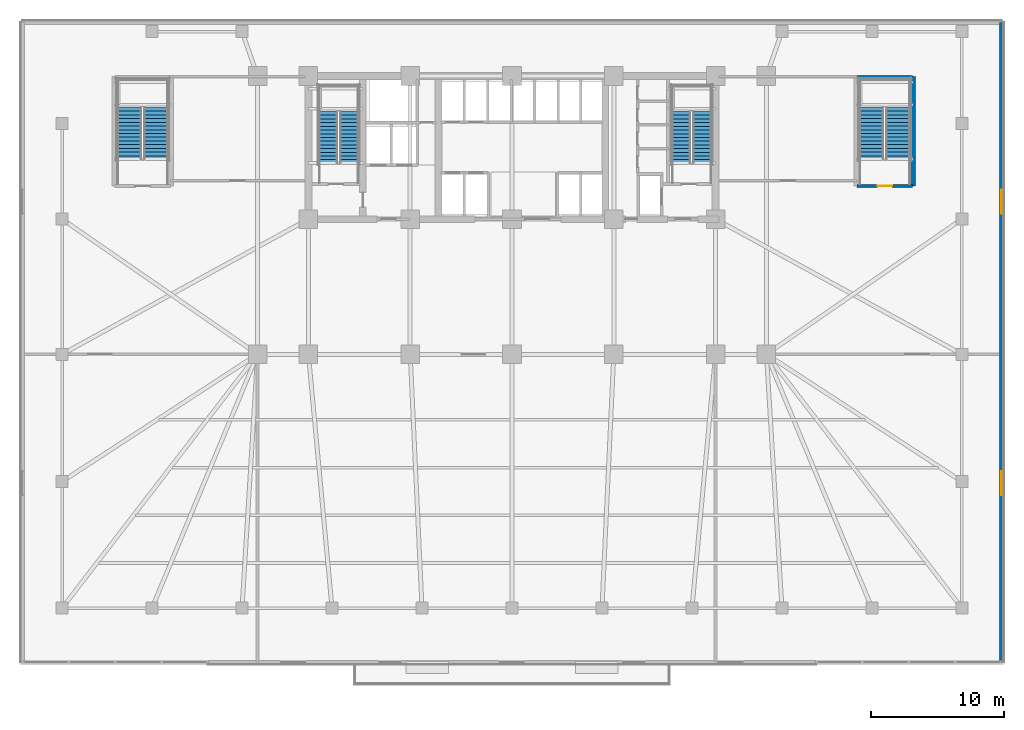
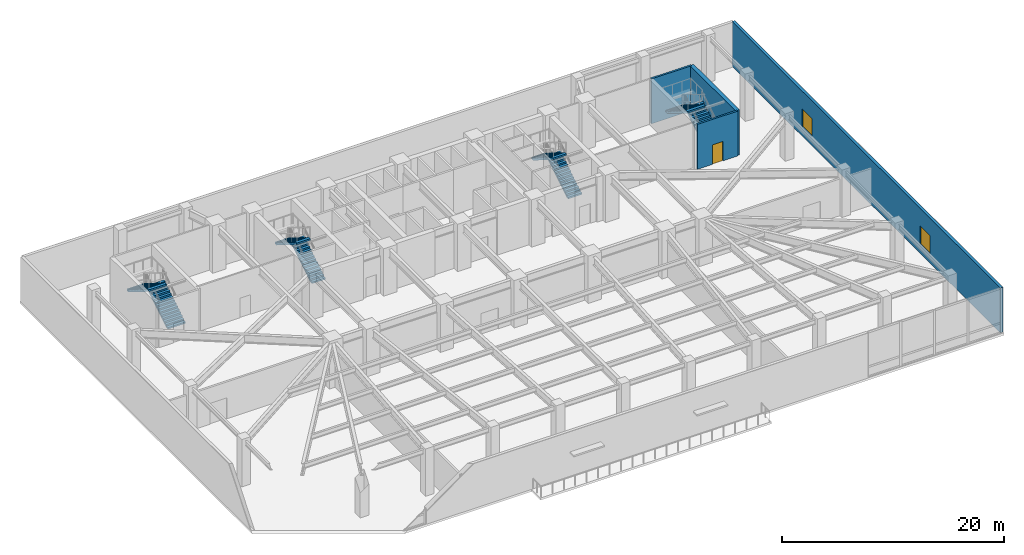
# One storey, part 10 of 15: 8 stair flights, 4 walls, 2 windows, 1 door, 3 openings, 4 elements without a shape of their own.
"""IFC4 building model written with IfcOpenShell, lengths in metres."""

from ifc_helpers import new_model, si_unit, direction, frame, frame_2d, origin, place, context, subcontext, project, spatial, polyline, rectangle, outline, extrude, material, layer, layer_set, type_object, element, fill, aggregate, save


model = new_model("IFC4")

# Units and contexts
model_context = context("Model", 3, precision=1e-05, world=origin(), true_north=direction((0.0, 1.0)))
body_context = subcontext(model_context, "Body", "Model", "MODEL_VIEW")
ifc_project = project(units=[si_unit("LENGTHUNIT", "METRE"), si_unit("AREAUNIT", "SQUARE_METRE"), si_unit("VOLUMEUNIT", "CUBIC_METRE"), si_unit("PLANEANGLEUNIT", "RADIAN"), si_unit("MASSUNIT", "GRAM", prefix="KILO")], contexts=[model_context])

# Site, building, storey
site_placement = place(None, origin())
site = spatial("IfcSite", under=ifc_project, at=site_placement, CompositionType="ELEMENT")
building_placement = place(site_placement, origin())
building = spatial("IfcBuilding", under=site, at=building_placement, Name="Yelkora Congress Tower", CompositionType="ELEMENT")
storey_placement = place(building_placement, frame((0.0, 0.0, 10.39990234375)))
storey = spatial("IfcBuildingStorey", under=building, at=storey_placement, Name="L02", CompositionType="ELEMENT", Elevation=10.39990234375)

# Wall
ifc_material_1 = material(Name="Concrete C50/60", Category="concrete")
ifc_layer_1 = layer(ifc_material_1, 0.39990234375)
ifc_layer_set_1 = layer_set([ifc_layer_1], Name="Concrete C50/60")
wall_type_1 = type_object("IfcWallType", Name="WALL-CORE-INT-400", PredefinedType="SHEAR", material=ifc_layer_set_1)
wall_1_placement = place(storey_placement, frame((68.659912109375, 37.89990234375, 0.0), z_axis=(0.0, 0.0, 1.0), x_axis=(0.0, 1.0, 0.0)))
element("IfcWall", 1, at=wall_1_placement, inside=storey, type_object=wall_type_1, Name="L02 STP2 East Shear Wall", PredefinedType="SHEAR", context=body_context, shape_type="SweptSolid", body=[
    extrude(rectangle(XDim=8.25, YDim=0.39990234375, at=frame_2d((4.125, 0.0))), origin(), (0.0, 0.0, 1.0), 4.940185546875),
])

# Wall, openings, windows
ifc_material_2 = material(Name="Concrete C40/50", Category="concrete")
ifc_layer_2 = layer(ifc_material_2, 0.280029296875)
ifc_layer_set_2 = layer_set([ifc_layer_2], Name="Concrete C40/50")
wall_type_2 = type_object("IfcWallType", Name="WALL-EXT-LIMESTONE-280", PredefinedType="SOLIDWALL", material=ifc_layer_set_2)
wall_2_placement = place(storey_placement, frame((75.340087890625, 50.239990234375, 0.0), z_axis=(0.0, 0.0, 1.0), x_axis=(0.0, -1.0, 0.0)))
wall_2 = element("IfcWall", 2, at=wall_2_placement, inside=storey, type_object=wall_type_2, Name="L02 Podium Limestone Wall 3", PredefinedType="SOLIDWALL", context=body_context, shape_type="SweptSolid", body=[
    extrude(rectangle(XDim=48.280029296875, YDim=0.280029296875, at=frame_2d((24.14013671875, 0.0))), origin(), (0.0, 0.0, 1.0), 4.940185546875),
])
opening_1_placement = place(wall_2_placement, frame((12.618408203125, 0.0, 1.0)))
opening_1 = element("IfcOpeningElement", 3, at=opening_1_placement, cuts=wall_2, Name="Opening WN-18", PredefinedType="OPENING", context=body_context, shape_type="SweptSolid", body=[
    extrude(rectangle(XDim=1.800048828125, YDim=2.0, at=frame_2d((0.89990234375, 1.0))), frame((0.0, 0.14990234375, 0.0), z_axis=(0.0, -1.0, 0.0), x_axis=(1.0, 0.0, 0.0)), (0.0, 0.0, 1.0), 0.300048828125),
])
opening_2_placement = place(wall_2_placement, frame((33.861572265625, 0.0, 1.0)))
opening_2 = element("IfcOpeningElement", 4, at=opening_2_placement, cuts=wall_2, Name="Opening WN-18", PredefinedType="OPENING", context=body_context, shape_type="SweptSolid", body=[
    extrude(rectangle(XDim=1.800048828125, YDim=2.0, at=frame_2d((0.89990234375, 1.0))), frame((0.0, 0.14990234375, 0.0), z_axis=(0.0, -1.0, 0.0), x_axis=(1.0, 0.0, 0.0)), (0.0, 0.0, 1.0), 0.300048828125),
])
ifc_material_3 = material(Name="Thermally broken aluminium low-E window", Category="aluminium")
window_type = type_object("IfcWindowType", Name="WIN-POD-1800x2000", PartitioningType="SINGLE_PANEL", PredefinedType="WINDOW", material=ifc_material_3)
window_1_placement = place(opening_1_placement, origin())
window_1 = element("IfcWindow", 5, at=window_1_placement, inside=storey, type_object=window_type, Name="L02 Podium Facade Window 3-1", OverallHeight=2.0, OverallWidth=1.800048828125, PartitioningType="SINGLE_PANEL", PredefinedType="WINDOW", context=body_context, shape_type="SweptSolid", body=[
    extrude(rectangle(XDim=1.800048828125, YDim=2.0, at=frame_2d((0.89990234375, 1.0))), frame((0.0, 0.030029296875, 0.0), z_axis=(0.0, -1.0, 0.0), x_axis=(1.0, 0.0, 0.0)), (0.0, 0.0, 1.0), 0.06005859375),
])
fill(opening_1, window_1)
window_2_placement = place(opening_2_placement, origin())
window_2 = element("IfcWindow", 6, at=window_2_placement, inside=storey, type_object=window_type, Name="L02 Podium Facade Window 3-2", OverallHeight=2.0, OverallWidth=1.800048828125, PartitioningType="SINGLE_PANEL", PredefinedType="WINDOW", context=body_context, shape_type="SweptSolid", body=[
    extrude(rectangle(XDim=1.800048828125, YDim=2.0, at=frame_2d((0.89990234375, 1.0))), frame((0.0, 0.030029296875, 0.0), z_axis=(0.0, -1.0, 0.0), x_axis=(1.0, 0.0, 0.0)), (0.0, 0.0, 1.0), 0.06005859375),
])
fill(opening_2, window_2)

# Wall, opening, door
ifc_material_4 = material(Name="Autoclaved aerated concrete blockwork", Category="masonry")
ifc_layer_3 = layer(ifc_material_4, 0.199951171875)
ifc_layer_set_3 = layer_set([ifc_layer_3], Name="Autoclaved aerated concrete blockwork")
wall_type_3 = type_object("IfcWallType", Name="WALL-INT-200-R120", PredefinedType="PARTITIONING", material=ifc_layer_set_3)
wall_3_placement = place(storey_placement, frame((64.43994140625, 37.89990234375, 0.0), z_axis=(0.0, 0.0, 1.0), x_axis=(1.0, 0.0, 0.0)))
wall_3 = element("IfcWall", 7, at=wall_3_placement, inside=storey, type_object=wall_type_3, Name="L02 Partition Wall 34", PredefinedType="PARTITIONING", context=body_context, shape_type="SweptSolid", body=[
    extrude(rectangle(XDim=4.18017578125, YDim=0.199951171875, at=frame_2d((2.090087890625, 0.0))), origin(), (0.0, 0.0, 1.0), 4.940185546875),
])
opening_3_placement = place(wall_3_placement, frame((1.5400390625, 0.0, 0.0)))
opening_3 = element("IfcOpeningElement", 8, at=opening_3_placement, cuts=wall_3, Name="Opening DR-110F9", PredefinedType="OPENING", context=body_context, shape_type="SweptSolid", body=[
    extrude(rectangle(XDim=1.10009765625, YDim=2.14990234375, at=frame_2d((0.550048828125, 1.074951171875))), frame((0.0, 0.10986328125, 0.0), z_axis=(0.0, -1.0, 0.0), x_axis=(1.0, 0.0, 0.0)), (0.0, 0.0, 1.0), 0.219970703125),
])
ifc_material_5 = material(Name="Galvanised steel fire door leaf", Category="steel")
door_type = type_object("IfcDoorType", Name="DOOR-FD90-1100", OperationType="NOTDEFINED", PredefinedType="DOOR", material=ifc_material_5)
door_placement = place(opening_3_placement, origin())
door = element("IfcDoor", 9, at=door_placement, inside=storey, type_object=door_type, Name="L02 ST-P2 Door", OperationType="SINGLE_SWING_LEFT", OverallHeight=2.14990234375, OverallWidth=1.10009765625, PredefinedType="DOOR", context=body_context, shape_type="SweptSolid", body=[
    extrude(rectangle(XDim=1.10009765625, YDim=2.14990234375, at=frame_2d((0.550048828125, 1.074951171875))), frame((0.0, 0.02490234375, 0.0), z_axis=(0.0, -1.0, 0.0), x_axis=(1.0, 0.0, 0.0)), (0.0, 0.0, 1.0), 0.050048828125),
])
fill(opening_3, door)

# Wall
wall_4_placement = place(storey_placement, frame((64.43994140625, 46.14990234375, 0.0), z_axis=(0.0, 0.0, 1.0), x_axis=(1.0, 0.0, 0.0)))
element("IfcWall", 10, at=wall_4_placement, inside=storey, type_object=wall_type_3, Name="L02 Partition Wall 35", PredefinedType="PARTITIONING", context=body_context, shape_type="SweptSolid", body=[
    extrude(rectangle(XDim=4.18017578125, YDim=0.199951171875, at=frame_2d((2.090087890625, 0.0))), origin(), (0.0, 0.0, 1.0), 4.940185546875),
])

# Stair, stair flights
stair_type_1 = type_object("IfcStairType", Name="STAIR-HT-1420-R30-173", PredefinedType="HALF_TURN_STAIR", material=ifc_material_2)
stair_1_placement = place(storey_placement, origin())
stair_1 = element("IfcStair", 11, at=stair_1_placement, inside=storey, type_object=stair_type_1, Name="West Core Protected Exit Stair ST-01 (L02)", PredefinedType="HALF_TURN_STAIR")
stair_flight_type_1 = type_object("IfcStairFlightType", Name="FLIGHT-1420-N15-R173-G280", PredefinedType="STRAIGHT", material=ifc_material_2)
stair_flight_1_placement = place(storey_placement, frame((26.110107421875, 39.60009765625, 0.0), z_axis=(0.0, 0.0, 1.0), x_axis=(0.0, 1.0, 0.0)))
stair_flight_1 = element("IfcStairFlight", 12, at=stair_flight_1_placement, type_object=stair_flight_type_1, Name="ST-01 L02 Flight 1", NumberOfRisers=15, NumberOfTreads=14, PredefinedType="STRAIGHT", RiserHeight=0.173333333, TreadLength=0.28, context=body_context, shape_type="SweptSolid", body=[
    extrude(outline(polyline([(0.0, 0.0), (0.0, 0.17333984375), (0.280029296875, 0.17333984375), (0.280029296875, 0.3466796875), (0.56005859375, 0.3466796875), (0.56005859375, 0.52001953125), (0.840087890625, 0.52001953125), (0.840087890625, 0.693359375), (1.1201171875, 0.693359375), (1.1201171875, 0.86669921875), (1.39990234375, 0.86669921875), (1.39990234375, 1.0400390625), (1.679931640625, 1.0400390625), (1.679931640625, 1.21337890625), (1.9599609375, 1.21337890625), (1.9599609375, 1.38671875), (2.239990234375, 1.38671875), (2.239990234375, 1.56005859375), (2.52001953125, 1.56005859375), (2.52001953125, 1.7333984375), (2.800048828125, 1.7333984375), (2.800048828125, 1.90673828125), (3.080078125, 1.90673828125), (3.080078125, 2.080078125), (3.360107421875, 2.080078125), (3.360107421875, 2.25341796875), (3.639892578125, 2.25341796875), (3.639892578125, 2.4267578125), (3.919921875, 2.4267578125), (3.919921875, 2.60009765625), (3.919921875, 2.238525390625), (0.3037109375, 0.0), (0.0, 0.0)])), frame((0.0, 0.7099609375, 0.0), z_axis=(0.0, -1.0, 0.0), x_axis=(1.0, 0.0, 0.0)), (0.0, 0.0, 1.0), 1.419921875),
])
stair_flight_2_placement = place(storey_placement, frame((24.530029296875, 43.52001953125, 2.60009765625), z_axis=(0.0, 0.0, 1.0), x_axis=(0.0, -1.0, 0.0)))
stair_flight_2 = element("IfcStairFlight", 13, at=stair_flight_2_placement, type_object=stair_flight_type_1, Name="ST-01 L02 Flight 2", NumberOfRisers=15, NumberOfTreads=14, PredefinedType="STRAIGHT", RiserHeight=0.173333333, TreadLength=0.28, context=body_context, shape_type="SweptSolid", body=[
    extrude(outline(polyline([(0.0, 0.0), (0.0, 0.17333984375), (0.280029296875, 0.17333984375), (0.280029296875, 0.3466796875), (0.56005859375, 0.3466796875), (0.56005859375, 0.52001953125), (0.840087890625, 0.52001953125), (0.840087890625, 0.693359375), (1.1201171875, 0.693359375), (1.1201171875, 0.86669921875), (1.39990234375, 0.86669921875), (1.39990234375, 1.0400390625), (1.679931640625, 1.0400390625), (1.679931640625, 1.21337890625), (1.9599609375, 1.21337890625), (1.9599609375, 1.38671875), (2.239990234375, 1.38671875), (2.239990234375, 1.56005859375), (2.52001953125, 1.56005859375), (2.52001953125, 1.7333984375), (2.800048828125, 1.7333984375), (2.800048828125, 1.90673828125), (3.080078125, 1.90673828125), (3.080078125, 2.080078125), (3.360107421875, 2.080078125), (3.360107421875, 2.25341796875), (3.639892578125, 2.25341796875), (3.639892578125, 2.4267578125), (3.919921875, 2.4267578125), (3.919921875, 2.60009765625), (3.919921875, 2.238525390625), (0.3037109375, 0.0), (0.0, 0.0)])), frame((0.0, 0.7099609375, 0.0), z_axis=(0.0, -1.0, 0.0), x_axis=(1.0, 0.0, 0.0)), (0.0, 0.0, 1.0), 1.419921875),
])
aggregate(stair_1, [stair_flight_1, stair_flight_2])

stair_2_placement = place(storey_placement, origin())
stair_2 = element("IfcStair", 14, at=stair_2_placement, inside=storey, type_object=stair_type_1, Name="East Core Protected Exit Stair ST-02 (L02)", PredefinedType="HALF_TURN_STAIR")
stair_flight_3_placement = place(storey_placement, frame((52.75, 39.60009765625, 0.0), z_axis=(0.0, 0.0, 1.0), x_axis=(0.0, 1.0, 0.0)))
stair_flight_3 = element("IfcStairFlight", 15, at=stair_flight_3_placement, type_object=stair_flight_type_1, Name="ST-02 L02 Flight 1", NumberOfRisers=15, NumberOfTreads=14, PredefinedType="STRAIGHT", RiserHeight=0.173333333, TreadLength=0.28, context=body_context, shape_type="SweptSolid", body=[
    extrude(outline(polyline([(0.0, 0.0), (0.0, 0.17333984375), (0.280029296875, 0.17333984375), (0.280029296875, 0.3466796875), (0.56005859375, 0.3466796875), (0.56005859375, 0.52001953125), (0.840087890625, 0.52001953125), (0.840087890625, 0.693359375), (1.1201171875, 0.693359375), (1.1201171875, 0.86669921875), (1.39990234375, 0.86669921875), (1.39990234375, 1.0400390625), (1.679931640625, 1.0400390625), (1.679931640625, 1.21337890625), (1.9599609375, 1.21337890625), (1.9599609375, 1.38671875), (2.239990234375, 1.38671875), (2.239990234375, 1.56005859375), (2.52001953125, 1.56005859375), (2.52001953125, 1.7333984375), (2.800048828125, 1.7333984375), (2.800048828125, 1.90673828125), (3.080078125, 1.90673828125), (3.080078125, 2.080078125), (3.360107421875, 2.080078125), (3.360107421875, 2.25341796875), (3.639892578125, 2.25341796875), (3.639892578125, 2.4267578125), (3.919921875, 2.4267578125), (3.919921875, 2.60009765625), (3.919921875, 2.238525390625), (0.3037109375, 0.0), (0.0, 0.0)])), frame((0.0, 0.7099609375, 0.0), z_axis=(0.0, -1.0, 0.0), x_axis=(1.0, 0.0, 0.0)), (0.0, 0.0, 1.0), 1.419921875),
])
stair_flight_4_placement = place(storey_placement, frame((51.169921875, 43.52001953125, 2.60009765625), z_axis=(0.0, 0.0, 1.0), x_axis=(0.0, -1.0, 0.0)))
stair_flight_4 = element("IfcStairFlight", 16, at=stair_flight_4_placement, type_object=stair_flight_type_1, Name="ST-02 L02 Flight 2", NumberOfRisers=15, NumberOfTreads=14, PredefinedType="STRAIGHT", RiserHeight=0.173333333, TreadLength=0.28, context=body_context, shape_type="SweptSolid", body=[
    extrude(outline(polyline([(0.0, 0.0), (0.0, 0.17333984375), (0.280029296875, 0.17333984375), (0.280029296875, 0.3466796875), (0.56005859375, 0.3466796875), (0.56005859375, 0.52001953125), (0.840087890625, 0.52001953125), (0.840087890625, 0.693359375), (1.1201171875, 0.693359375), (1.1201171875, 0.86669921875), (1.39990234375, 0.86669921875), (1.39990234375, 1.0400390625), (1.679931640625, 1.0400390625), (1.679931640625, 1.21337890625), (1.9599609375, 1.21337890625), (1.9599609375, 1.38671875), (2.239990234375, 1.38671875), (2.239990234375, 1.56005859375), (2.52001953125, 1.56005859375), (2.52001953125, 1.7333984375), (2.800048828125, 1.7333984375), (2.800048828125, 1.90673828125), (3.080078125, 1.90673828125), (3.080078125, 2.080078125), (3.360107421875, 2.080078125), (3.360107421875, 2.25341796875), (3.639892578125, 2.25341796875), (3.639892578125, 2.4267578125), (3.919921875, 2.4267578125), (3.919921875, 2.60009765625), (3.919921875, 2.238525390625), (0.3037109375, 0.0), (0.0, 0.0)])), frame((0.0, 0.7099609375, 0.0), z_axis=(0.0, -1.0, 0.0), x_axis=(1.0, 0.0, 0.0)), (0.0, 0.0, 1.0), 1.419921875),
])
aggregate(stair_2, [stair_flight_3, stair_flight_4])

stair_type_2 = type_object("IfcStairType", Name="STAIR-HT-1850-R30-173", PredefinedType="HALF_TURN_STAIR", material=ifc_material_2)
stair_3_placement = place(storey_placement, origin())
stair_3 = element("IfcStair", 17, at=stair_3_placement, inside=storey, type_object=stair_type_2, Name="Podium Exit Stair ST-P1 (L02)", PredefinedType="HALF_TURN_STAIR")
stair_flight_type_2 = type_object("IfcStairFlightType", Name="FLIGHT-1850-N15-R173-G280", PredefinedType="STRAIGHT", material=ifc_material_2)
stair_flight_5_placement = place(storey_placement, frame((11.534912109375, 39.89990234375, 0.0), z_axis=(0.0, 0.0, 1.0), x_axis=(0.0, 1.0, 0.0)))
stair_flight_5 = element("IfcStairFlight", 18, at=stair_flight_5_placement, type_object=stair_flight_type_2, Name="ST-P1 L02 Flight 1", NumberOfRisers=15, NumberOfTreads=14, PredefinedType="STRAIGHT", RiserHeight=0.173333333, TreadLength=0.28, context=body_context, shape_type="SweptSolid", body=[
    extrude(outline(polyline([(0.0, 0.0), (0.0, 0.17333984375), (0.280029296875, 0.17333984375), (0.280029296875, 0.3466796875), (0.56005859375, 0.3466796875), (0.56005859375, 0.52001953125), (0.840087890625, 0.52001953125), (0.840087890625, 0.693359375), (1.1201171875, 0.693359375), (1.1201171875, 0.86669921875), (1.39990234375, 0.86669921875), (1.39990234375, 1.0400390625), (1.679931640625, 1.0400390625), (1.679931640625, 1.21337890625), (1.9599609375, 1.21337890625), (1.9599609375, 1.38671875), (2.239990234375, 1.38671875), (2.239990234375, 1.56005859375), (2.52001953125, 1.56005859375), (2.52001953125, 1.7333984375), (2.800048828125, 1.7333984375), (2.800048828125, 1.90673828125), (3.080078125, 1.90673828125), (3.080078125, 2.080078125), (3.360107421875, 2.080078125), (3.360107421875, 2.25341796875), (3.639892578125, 2.25341796875), (3.639892578125, 2.4267578125), (3.919921875, 2.4267578125), (3.919921875, 2.60009765625), (3.919921875, 2.238525390625), (0.3037109375, 0.0), (0.0, 0.0)])), frame((0.0, 0.925048828125, 0.0), z_axis=(0.0, -1.0, 0.0), x_axis=(1.0, 0.0, 0.0)), (0.0, 0.0, 1.0), 1.85009765625),
])
stair_flight_6_placement = place(storey_placement, frame((9.52490234375, 43.820068359375, 2.60009765625), z_axis=(0.0, 0.0, 1.0), x_axis=(0.0, -1.0, 0.0)))
stair_flight_6 = element("IfcStairFlight", 19, at=stair_flight_6_placement, type_object=stair_flight_type_2, Name="ST-P1 L02 Flight 2", NumberOfRisers=15, NumberOfTreads=14, PredefinedType="STRAIGHT", RiserHeight=0.173333333, TreadLength=0.28, context=body_context, shape_type="SweptSolid", body=[
    extrude(outline(polyline([(0.0, 0.0), (0.0, 0.17333984375), (0.280029296875, 0.17333984375), (0.280029296875, 0.3466796875), (0.56005859375, 0.3466796875), (0.56005859375, 0.52001953125), (0.840087890625, 0.52001953125), (0.840087890625, 0.693359375), (1.1201171875, 0.693359375), (1.1201171875, 0.86669921875), (1.39990234375, 0.86669921875), (1.39990234375, 1.0400390625), (1.679931640625, 1.0400390625), (1.679931640625, 1.21337890625), (1.9599609375, 1.21337890625), (1.9599609375, 1.38671875), (2.239990234375, 1.38671875), (2.239990234375, 1.56005859375), (2.52001953125, 1.56005859375), (2.52001953125, 1.7333984375), (2.800048828125, 1.7333984375), (2.800048828125, 1.90673828125), (3.080078125, 1.90673828125), (3.080078125, 2.080078125), (3.360107421875, 2.080078125), (3.360107421875, 2.25341796875), (3.639892578125, 2.25341796875), (3.639892578125, 2.4267578125), (3.919921875, 2.4267578125), (3.919921875, 2.60009765625), (3.919921875, 2.238525390625), (0.3037109375, 0.0), (0.0, 0.0)])), frame((0.0, 0.925048828125, 0.0), z_axis=(0.0, -1.0, 0.0), x_axis=(1.0, 0.0, 0.0)), (0.0, 0.0, 1.0), 1.85009765625),
])
aggregate(stair_3, [stair_flight_5, stair_flight_6])

stair_4_placement = place(storey_placement, origin())
stair_4 = element("IfcStair", 20, at=stair_4_placement, inside=storey, type_object=stair_type_2, Name="Podium Exit Stair ST-P2 (L02)", PredefinedType="HALF_TURN_STAIR")
stair_flight_7_placement = place(storey_placement, frame((67.534912109375, 39.89990234375, 0.0), z_axis=(0.0, 0.0, 1.0), x_axis=(0.0, 1.0, 0.0)))
stair_flight_7 = element("IfcStairFlight", 21, at=stair_flight_7_placement, type_object=stair_flight_type_2, Name="ST-P2 L02 Flight 1", NumberOfRisers=15, NumberOfTreads=14, PredefinedType="STRAIGHT", RiserHeight=0.173333333, TreadLength=0.28, context=body_context, shape_type="SweptSolid", body=[
    extrude(outline(polyline([(0.0, 0.0), (0.0, 0.17333984375), (0.280029296875, 0.17333984375), (0.280029296875, 0.3466796875), (0.56005859375, 0.3466796875), (0.56005859375, 0.52001953125), (0.840087890625, 0.52001953125), (0.840087890625, 0.693359375), (1.1201171875, 0.693359375), (1.1201171875, 0.86669921875), (1.39990234375, 0.86669921875), (1.39990234375, 1.0400390625), (1.679931640625, 1.0400390625), (1.679931640625, 1.21337890625), (1.9599609375, 1.21337890625), (1.9599609375, 1.38671875), (2.239990234375, 1.38671875), (2.239990234375, 1.56005859375), (2.52001953125, 1.56005859375), (2.52001953125, 1.7333984375), (2.800048828125, 1.7333984375), (2.800048828125, 1.90673828125), (3.080078125, 1.90673828125), (3.080078125, 2.080078125), (3.360107421875, 2.080078125), (3.360107421875, 2.25341796875), (3.639892578125, 2.25341796875), (3.639892578125, 2.4267578125), (3.919921875, 2.4267578125), (3.919921875, 2.60009765625), (3.919921875, 2.238525390625), (0.3037109375, 0.0), (0.0, 0.0)])), frame((0.0, 0.925048828125, 0.0), z_axis=(0.0, -1.0, 0.0), x_axis=(1.0, 0.0, 0.0)), (0.0, 0.0, 1.0), 1.85009765625),
])
stair_flight_8_placement = place(storey_placement, frame((65.52490234375, 43.820068359375, 2.60009765625), z_axis=(0.0, 0.0, 1.0), x_axis=(0.0, -1.0, 0.0)))
stair_flight_8 = element("IfcStairFlight", 22, at=stair_flight_8_placement, type_object=stair_flight_type_2, Name="ST-P2 L02 Flight 2", NumberOfRisers=15, NumberOfTreads=14, PredefinedType="STRAIGHT", RiserHeight=0.173333333, TreadLength=0.28, context=body_context, shape_type="SweptSolid", body=[
    extrude(outline(polyline([(0.0, 0.0), (0.0, 0.17333984375), (0.280029296875, 0.17333984375), (0.280029296875, 0.3466796875), (0.56005859375, 0.3466796875), (0.56005859375, 0.52001953125), (0.840087890625, 0.52001953125), (0.840087890625, 0.693359375), (1.1201171875, 0.693359375), (1.1201171875, 0.86669921875), (1.39990234375, 0.86669921875), (1.39990234375, 1.0400390625), (1.679931640625, 1.0400390625), (1.679931640625, 1.21337890625), (1.9599609375, 1.21337890625), (1.9599609375, 1.38671875), (2.239990234375, 1.38671875), (2.239990234375, 1.56005859375), (2.52001953125, 1.56005859375), (2.52001953125, 1.7333984375), (2.800048828125, 1.7333984375), (2.800048828125, 1.90673828125), (3.080078125, 1.90673828125), (3.080078125, 2.080078125), (3.360107421875, 2.080078125), (3.360107421875, 2.25341796875), (3.639892578125, 2.25341796875), (3.639892578125, 2.4267578125), (3.919921875, 2.4267578125), (3.919921875, 2.60009765625), (3.919921875, 2.238525390625), (0.3037109375, 0.0), (0.0, 0.0)])), frame((0.0, 0.925048828125, 0.0), z_axis=(0.0, -1.0, 0.0), x_axis=(1.0, 0.0, 0.0)), (0.0, 0.0, 1.0), 1.85009765625),
])
aggregate(stair_4, [stair_flight_7, stair_flight_8])

save(model, "model.ifc")
